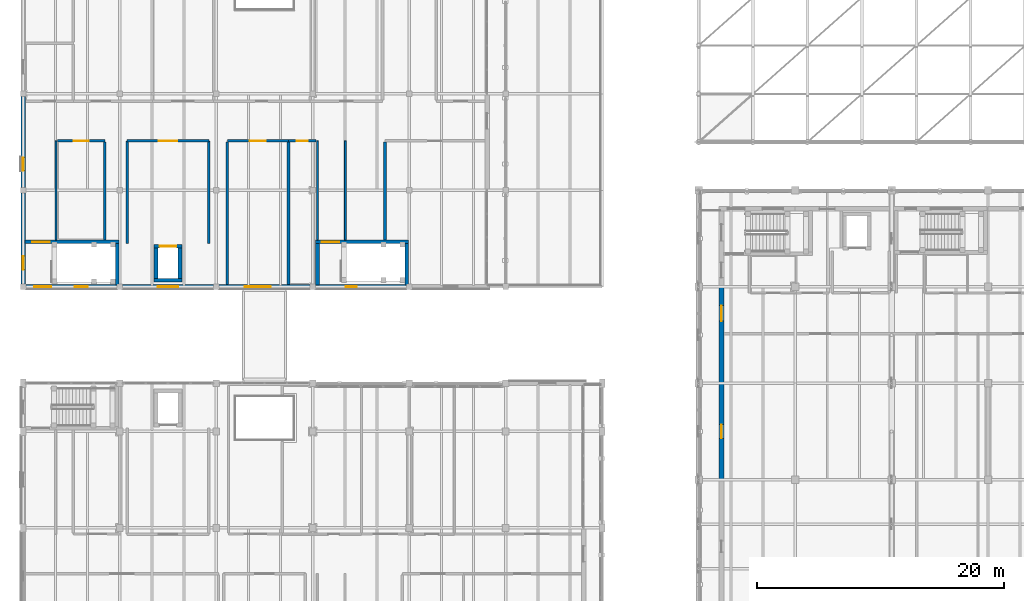
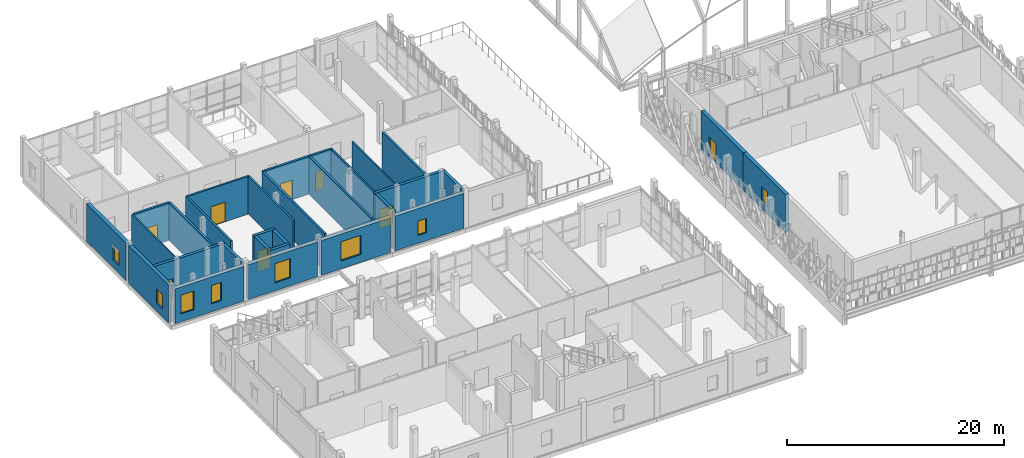
# One storey, part 93 of 119: 30 walls, 8 doors, 8 windows, 16 openings.
"""IFC4 building model written with IfcOpenShell, lengths in metres."""

from ifc_helpers import new_model, si_unit, direction, frame, frame_2d, origin, place, context, subcontext, project, spatial, rectangle, extrude, material, layer, layer_set, type_object, element, fill, save


model = new_model("IFC4")

# Units and contexts
model_context = context("Model", 3, precision=1e-05, world=origin(), true_north=direction((0.0, 1.0)))
body_context = subcontext(model_context, "Body", "Model", "MODEL_VIEW")
ifc_project = project(units=[si_unit("LENGTHUNIT", "METRE"), si_unit("AREAUNIT", "SQUARE_METRE"), si_unit("VOLUMEUNIT", "CUBIC_METRE"), si_unit("PLANEANGLEUNIT", "RADIAN"), si_unit("MASSUNIT", "GRAM", prefix="KILO")], contexts=[model_context])

# Site, building, storey
site_placement = place(None, origin())
site = spatial("IfcSite", under=ifc_project, at=site_placement, CompositionType="ELEMENT")
building_placement = place(site_placement, origin())
building = spatial("IfcBuilding", under=site, at=building_placement, Name="Celorna Specialist Clinic", CompositionType="ELEMENT")
storey_placement = place(building_placement, frame((0.0, 0.0, 9.60009765625)))
storey = spatial("IfcBuildingStorey", under=building, at=storey_placement, Name="L02", CompositionType="ELEMENT", Elevation=9.60009765625)

# Wall, openings, windows
ifc_material_1 = material(Name="Terracotta masonry with insulated cavity", Category="masonry")
ifc_layer_1 = layer(ifc_material_1, 0.3798828125, Name="Terracotta masonry with insulated cavity")
ifc_layer_set_1 = layer_set([ifc_layer_1], Name="Terracotta masonry with insulated cavity")
wall_type_1 = type_object("IfcWallType", Name="WT-06", PredefinedType="STANDARD", material=ifc_layer_set_1)
wall_1_placement = place(storey_placement, frame((7.574951171875, 35.10009765625, 0.0), z_axis=(0.0, 0.0, 1.0), x_axis=(-1.0, 0.0, 0.0)))
wall_1 = element("IfcWall", 1, at=wall_1_placement, inside=storey, type_object=wall_type_1, Name="External facade wall WT-06 #130", PredefinedType="STANDARD", context=body_context, shape_type="SweptSolid", body=[
    extrude(rectangle(XDim=7.349853515625, YDim=0.3798828125, at=frame_2d((3.6748046875, 0.0))), origin(), (0.0, 0.0, 1.0), 3.9248046875),
])
opening_1_placement = place(wall_1_placement, frame((2.375, 0.0, 0.89990234375)))
opening_1 = element("IfcOpeningElement", 2, at=opening_1_placement, cuts=wall_1, Name="Opening WN-22", PredefinedType="OPENING", context=body_context, shape_type="SweptSolid", body=[
    extrude(rectangle(XDim=1.050048828125, YDim=2.050048828125, at=frame_2d((0.52490234375, 1.02490234375))), frame((0.0, 0.199951171875, 0.0), z_axis=(0.0, -1.0, 0.0), x_axis=(1.0, 0.0, 0.0)), (0.0, 0.0, 1.0), 0.39990234375),
])
opening_2_placement = place(wall_1_placement, frame((5.324951171875, 0.0, 0.89990234375)))
opening_2 = element("IfcOpeningElement", 3, at=opening_2_placement, cuts=wall_1, Name="Opening WN-23", PredefinedType="OPENING", context=body_context, shape_type="SweptSolid", body=[
    extrude(rectangle(XDim=1.35009765625, YDim=2.10009765625, at=frame_2d((0.675048828125, 1.050048828125))), frame((0.0, 0.199951171875, 0.0), z_axis=(0.0, -1.0, 0.0), x_axis=(1.0, 0.0, 0.0)), (0.0, 0.0, 1.0), 0.39990234375),
])
ifc_material_2 = material(Name="Thermally broken aluminium triple-glazed window", Category="aluminium")
window_type_1 = type_object("IfcWindowType", Name="WN-22", PartitioningType="SINGLE_PANEL", PredefinedType="WINDOW", material=ifc_material_2)
window_1_placement = place(opening_1_placement, origin())
window_1 = element("IfcWindow", 4, at=window_1_placement, inside=storey, type_object=window_type_1, Name="Facade window WN-22 #39", OverallHeight=2.050048828125, OverallWidth=1.050048828125, PartitioningType="SINGLE_PANEL", PredefinedType="WINDOW", context=body_context, shape_type="SweptSolid", body=[
    extrude(rectangle(XDim=1.050048828125, YDim=2.050048828125, at=frame_2d((0.52490234375, 1.02490234375))), frame((0.0, 0.030029296875, 0.0), z_axis=(0.0, -1.0, 0.0), x_axis=(1.0, 0.0, 0.0)), (0.0, 0.0, 1.0), 0.06005859375),
])
fill(opening_1, window_1)
window_type_2 = type_object("IfcWindowType", Name="WN-23", PartitioningType="SINGLE_PANEL", PredefinedType="WINDOW", material=ifc_material_2)
window_2_placement = place(opening_2_placement, origin())
window_2 = element("IfcWindow", 5, at=window_2_placement, inside=storey, type_object=window_type_2, Name="Facade window WN-23 #40", OverallHeight=2.10009765625, OverallWidth=1.35009765625, PartitioningType="SINGLE_PANEL", PredefinedType="WINDOW", context=body_context, shape_type="SweptSolid", body=[
    extrude(rectangle(XDim=1.35009765625, YDim=2.10009765625, at=frame_2d((0.675048828125, 1.050048828125))), frame((0.0, 0.030029296875, 0.0), z_axis=(0.0, -1.0, 0.0), x_axis=(1.0, 0.0, 0.0)), (0.0, 0.0, 1.0), 0.06005859375),
])
fill(opening_2, window_2)

# Wall, opening, window
wall_2_placement = place(storey_placement, frame((15.375, 35.10009765625, 0.0), z_axis=(0.0, 0.0, 1.0), x_axis=(-1.0, 0.0, 0.0)))
wall_2 = element("IfcWall", 6, at=wall_2_placement, inside=storey, type_object=wall_type_1, Name="External facade wall WT-06 #131", PredefinedType="STANDARD", context=body_context, shape_type="SweptSolid", body=[
    extrude(rectangle(XDim=7.35009765625, YDim=0.3798828125, at=frame_2d((3.675048828125, 0.0))), origin(), (0.0, 0.0, 1.0), 3.9248046875),
])
opening_3_placement = place(wall_2_placement, frame((2.85009765625, 0.0, 0.89990234375)))
opening_3 = element("IfcOpeningElement", 7, at=opening_3_placement, cuts=wall_2, Name="Opening WN-25", PredefinedType="OPENING", context=body_context, shape_type="SweptSolid", body=[
    extrude(rectangle(XDim=1.64990234375, YDim=2.14990234375, at=frame_2d((0.824951171875, 1.074951171875))), frame((0.0, 0.199951171875, 0.0), z_axis=(0.0, -1.0, 0.0), x_axis=(1.0, 0.0, 0.0)), (0.0, 0.0, 1.0), 0.39990234375),
])
window_type_3 = type_object("IfcWindowType", Name="WN-25", PartitioningType="SINGLE_PANEL", PredefinedType="WINDOW", material=ifc_material_2)
window_3_placement = place(opening_3_placement, origin())
window_3 = element("IfcWindow", 8, at=window_3_placement, inside=storey, type_object=window_type_3, Name="Facade window WN-25 #41", OverallHeight=2.14990234375, OverallWidth=1.64990234375, PartitioningType="SINGLE_PANEL", PredefinedType="WINDOW", context=body_context, shape_type="SweptSolid", body=[
    extrude(rectangle(XDim=1.64990234375, YDim=2.14990234375, at=frame_2d((0.824951171875, 1.074951171875))), frame((0.0, 0.030029296875, 0.0), z_axis=(0.0, -1.0, 0.0), x_axis=(1.0, 0.0, 0.0)), (0.0, 0.0, 1.0), 0.06005859375),
])
fill(opening_3, window_3)

wall_3_placement = place(storey_placement, frame((23.175048828125, 35.10009765625, 0.0), z_axis=(0.0, 0.0, 1.0), x_axis=(-1.0, 0.0, 0.0)))
wall_3 = element("IfcWall", 9, at=wall_3_placement, inside=storey, type_object=wall_type_1, Name="External facade wall WT-06 #132", PredefinedType="STANDARD", context=body_context, shape_type="SweptSolid", body=[
    extrude(rectangle(XDim=7.35009765625, YDim=0.3798828125, at=frame_2d((3.675048828125, 0.0))), origin(), (0.0, 0.0, 1.0), 3.9248046875),
])
opening_4_placement = place(wall_3_placement, frame((3.159912109375, 0.0, 0.89990234375)))
opening_4 = element("IfcOpeningElement", 10, at=opening_4_placement, cuts=wall_3, Name="Opening WN-27", PredefinedType="OPENING", context=body_context, shape_type="SweptSolid", body=[
    extrude(rectangle(XDim=2.10009765625, YDim=2.14990234375, at=frame_2d((1.050048828125, 1.074951171875))), frame((0.0, 0.199951171875, 0.0), z_axis=(0.0, -1.0, 0.0), x_axis=(1.0, 0.0, 0.0)), (0.0, 0.0, 1.0), 0.39990234375),
])
window_type_4 = type_object("IfcWindowType", Name="WN-27", PartitioningType="SINGLE_PANEL", PredefinedType="WINDOW", material=ifc_material_2)
window_4_placement = place(opening_4_placement, origin())
window_4 = element("IfcWindow", 11, at=window_4_placement, inside=storey, type_object=window_type_4, Name="Facade window WN-27 #42", OverallHeight=2.14990234375, OverallWidth=2.10009765625, PartitioningType="SINGLE_PANEL", PredefinedType="WINDOW", context=body_context, shape_type="SweptSolid", body=[
    extrude(rectangle(XDim=2.10009765625, YDim=2.14990234375, at=frame_2d((1.050048828125, 1.074951171875))), frame((0.0, 0.030029296875, 0.0), z_axis=(0.0, -1.0, 0.0), x_axis=(1.0, 0.0, 0.0)), (0.0, 0.0, 1.0), 0.06005859375),
])
fill(opening_4, window_4)

wall_4_placement = place(storey_placement, frame((30.97509765625, 35.10009765625, 0.0), z_axis=(0.0, 0.0, 1.0), x_axis=(-1.0, 0.0, 0.0)))
wall_4 = element("IfcWall", 12, at=wall_4_placement, inside=storey, type_object=wall_type_1, Name="External facade wall WT-06 #133", PredefinedType="STANDARD", context=body_context, shape_type="SweptSolid", body=[
    extrude(rectangle(XDim=7.35009765625, YDim=0.3798828125, at=frame_2d((3.675048828125, 0.0))), origin(), (0.0, 0.0, 1.0), 3.9248046875),
])
opening_5_placement = place(wall_4_placement, frame((4.010009765625, 0.0, 0.89990234375)))
opening_5 = element("IfcOpeningElement", 13, at=opening_5_placement, cuts=wall_4, Name="Opening WN-01", PredefinedType="OPENING", context=body_context, shape_type="SweptSolid", body=[
    extrude(rectangle(XDim=0.89990234375, YDim=1.60009765625, at=frame_2d((0.449951171875, 0.800048828125))), frame((0.0, 0.199951171875, 0.0), z_axis=(0.0, -1.0, 0.0), x_axis=(1.0, 0.0, 0.0)), (0.0, 0.0, 1.0), 0.39990234375),
])
window_type_5 = type_object("IfcWindowType", Name="WN-01", PartitioningType="SINGLE_PANEL", PredefinedType="WINDOW", material=ifc_material_2)
window_5_placement = place(opening_5_placement, origin())
window_5 = element("IfcWindow", 14, at=window_5_placement, inside=storey, type_object=window_type_5, Name="Facade window WN-01 #43", OverallHeight=1.60009765625, OverallWidth=0.89990234375, PartitioningType="SINGLE_PANEL", PredefinedType="WINDOW", context=body_context, shape_type="SweptSolid", body=[
    extrude(rectangle(XDim=0.89990234375, YDim=1.60009765625, at=frame_2d((0.449951171875, 0.800048828125))), frame((0.0, 0.030029296875, 0.0), z_axis=(0.0, -1.0, 0.0), x_axis=(1.0, 0.0, 0.0)), (0.0, 0.0, 1.0), 0.06005859375),
])
fill(opening_5, window_5)

wall_5_placement = place(storey_placement, frame((0.0, 35.324951171875, 0.0), z_axis=(0.0, 0.0, 1.0), x_axis=(0.0, 1.0, 0.0)))
wall_5 = element("IfcWall", 15, at=wall_5_placement, inside=storey, type_object=wall_type_1, Name="External facade wall WT-06 #136", PredefinedType="STANDARD", context=body_context, shape_type="SweptSolid", body=[
    extrude(rectangle(XDim=7.35009765625, YDim=0.3798828125, at=frame_2d((3.675048828125, 0.0))), origin(), (0.0, 0.0, 1.0), 4.239990234375),
])
opening_6_placement = place(wall_5_placement, frame((1.16259765625, 0.0, 0.89990234375)))
opening_6 = element("IfcOpeningElement", 16, at=opening_6_placement, cuts=wall_5, Name="Opening WN-03", PredefinedType="OPENING", context=body_context, shape_type="SweptSolid", body=[
    extrude(rectangle(XDim=1.10009765625, YDim=1.60009765625, at=frame_2d((0.550048828125, 0.800048828125))), frame((0.0, 0.199951171875, 0.0), z_axis=(0.0, -1.0, 0.0), x_axis=(1.0, 0.0, 0.0)), (0.0, 0.0, 1.0), 0.39990234375),
])
window_type_6 = type_object("IfcWindowType", Name="WN-03", PartitioningType="SINGLE_PANEL", PredefinedType="WINDOW", material=ifc_material_2)
window_6_placement = place(opening_6_placement, origin())
window_6 = element("IfcWindow", 17, at=window_6_placement, inside=storey, type_object=window_type_6, Name="Facade window WN-03 #47", OverallHeight=1.60009765625, OverallWidth=1.10009765625, PartitioningType="SINGLE_PANEL", PredefinedType="WINDOW", context=body_context, shape_type="SweptSolid", body=[
    extrude(rectangle(XDim=1.10009765625, YDim=1.60009765625, at=frame_2d((0.550048828125, 0.800048828125))), frame((0.0, 0.030029296875, 0.0), z_axis=(0.0, -1.0, 0.0), x_axis=(1.0, 0.0, 0.0)), (0.0, 0.0, 1.0), 0.06005859375),
])
fill(opening_6, window_6)

wall_6_placement = place(storey_placement, frame((0.0, 43.125, 0.0), z_axis=(0.0, 0.0, 1.0), x_axis=(0.0, 1.0, 0.0)))
wall_6 = element("IfcWall", 18, at=wall_6_placement, inside=storey, type_object=wall_type_1, Name="External facade wall WT-06 #137", PredefinedType="STANDARD", context=body_context, shape_type="SweptSolid", body=[
    extrude(rectangle(XDim=7.35009765625, YDim=0.3798828125, at=frame_2d((3.675048828125, 0.0))), origin(), (0.0, 0.0, 1.0), 4.239990234375),
])
opening_7_placement = place(wall_6_placement, frame((1.37255859375, 0.0, 0.89990234375)))
opening_7 = element("IfcOpeningElement", 19, at=opening_7_placement, cuts=wall_6, Name="Opening WN-21", PredefinedType="OPENING", context=body_context, shape_type="SweptSolid", body=[
    extrude(rectangle(XDim=1.050048828125, YDim=1.64990234375, at=frame_2d((0.52490234375, 0.824951171875))), frame((0.0, 0.199951171875, 0.0), z_axis=(0.0, -1.0, 0.0), x_axis=(1.0, 0.0, 0.0)), (0.0, 0.0, 1.0), 0.39990234375),
])
window_type_7 = type_object("IfcWindowType", Name="WN-21", PartitioningType="SINGLE_PANEL", PredefinedType="WINDOW", material=ifc_material_2)
window_7_placement = place(opening_7_placement, origin())
window_7 = element("IfcWindow", 20, at=window_7_placement, inside=storey, type_object=window_type_7, Name="Facade window WN-21 #48", OverallHeight=1.64990234375, OverallWidth=1.050048828125, PartitioningType="SINGLE_PANEL", PredefinedType="WINDOW", context=body_context, shape_type="SweptSolid", body=[
    extrude(rectangle(XDim=1.050048828125, YDim=1.64990234375, at=frame_2d((0.52490234375, 0.824951171875))), frame((0.0, 0.030029296875, 0.0), z_axis=(0.0, -1.0, 0.0), x_axis=(1.0, 0.0, 0.0)), (0.0, 0.0, 1.0), 0.06005859375),
])
fill(opening_7, window_7)

wall_7_placement = place(storey_placement, frame((56.449951171875, 19.5, 0.0), z_axis=(0.0, 0.0, 1.0), x_axis=(0.0, 1.0, 0.0)))
wall_7 = element("IfcWall", 21, at=wall_7_placement, inside=storey, type_object=wall_type_1, Name="External facade wall WT-06 #400", PredefinedType="STANDARD", context=body_context, shape_type="SweptSolid", body=[
    extrude(rectangle(XDim=7.800048828125, YDim=0.3798828125, at=frame_2d((3.89990234375, 0.0))), origin(), (0.0, 0.0, 1.0), 4.239990234375),
])
opening_8_placement = place(wall_7_placement, frame((3.35009765625, 0.0, 0.89990234375)))
opening_8 = element("IfcOpeningElement", 22, at=opening_8_placement, cuts=wall_7, Name="Opening WN-03", PredefinedType="OPENING", context=body_context, shape_type="SweptSolid", body=[
    extrude(rectangle(XDim=1.10009765625, YDim=1.60009765625, at=frame_2d((0.550048828125, 0.800048828125))), frame((0.0, 0.199951171875, 0.0), z_axis=(0.0, -1.0, 0.0), x_axis=(1.0, 0.0, 0.0)), (0.0, 0.0, 1.0), 0.39990234375),
])
window_8_placement = place(opening_8_placement, origin())
window_8 = element("IfcWindow", 23, at=window_8_placement, inside=storey, type_object=window_type_6, Name="Facade window WN-03 #262", OverallHeight=1.60009765625, OverallWidth=1.10009765625, PartitioningType="SINGLE_PANEL", PredefinedType="WINDOW", context=body_context, shape_type="SweptSolid", body=[
    extrude(rectangle(XDim=1.10009765625, YDim=1.60009765625, at=frame_2d((0.550048828125, 0.800048828125))), frame((0.0, 0.030029296875, 0.0), z_axis=(0.0, -1.0, 0.0), x_axis=(1.0, 0.0, 0.0)), (0.0, 0.0, 1.0), 0.06005859375),
])
fill(opening_8, window_8)

# Wall, opening, door
wall_8_placement = place(storey_placement, frame((56.449951171875, 27.300048828125, 0.0), z_axis=(0.0, 0.0, 1.0), x_axis=(0.0, 1.0, 0.0)))
wall_8 = element("IfcWall", 24, at=wall_8_placement, inside=storey, type_object=wall_type_1, Name="External facade wall WT-06 #401", PredefinedType="STANDARD", context=body_context, shape_type="SweptSolid", body=[
    extrude(rectangle(XDim=7.800048828125, YDim=0.3798828125, at=frame_2d((3.89990234375, 0.0))), origin(), (0.0, 0.0, 1.0), 4.239990234375),
])
opening_9_placement = place(wall_8_placement, frame((5.02490234375, 0.0, 0.0)))
opening_9 = element("IfcOpeningElement", 25, at=opening_9_placement, cuts=wall_8, Name="Opening DR-13", PredefinedType="OPENING", context=body_context, shape_type="SweptSolid", body=[
    extrude(rectangle(XDim=1.25, YDim=2.199951171875, at=frame_2d((0.625, 1.10009765625))), frame((0.0, 0.199951171875, 0.0), z_axis=(0.0, -1.0, 0.0), x_axis=(1.0, 0.0, 0.0)), (0.0, 0.0, 1.0), 0.39990234375),
])
ifc_material_3 = material(Name="Thermally broken glazed terrace door")
door_type_1 = type_object("IfcDoorType", Name="DR-13", OperationType="NOTDEFINED", PredefinedType="DOOR", material=ifc_material_3)
door_1_placement = place(opening_9_placement, frame((1.25, 0.0, 0.0), z_axis=(0.0, 0.0, 1.0), x_axis=(-1.0, 0.0, 0.0)))
door_1 = element("IfcDoor", 26, at=door_1_placement, inside=storey, type_object=door_type_1, Name="Veranda access door TER-V6-L02 west", OperationType="SINGLE_SWING_RIGHT", OverallHeight=2.199951171875, OverallWidth=1.25, PredefinedType="DOOR", context=body_context, shape_type="SweptSolid", body=[
    extrude(rectangle(XDim=1.25, YDim=2.199951171875, at=frame_2d((0.625, 1.10009765625))), frame((0.0, 0.02490234375, 0.0), z_axis=(0.0, -1.0, 0.0), x_axis=(1.0, 0.0, 0.0)), (0.0, 0.0, 1.0), 0.050048828125),
])
fill(opening_9, door_1)

ifc_material_4 = material(Name="Concrete C35/45", Category="concrete")
ifc_layer_2 = layer(ifc_material_4, 0.300048828125, Name="Concrete C35/45")
ifc_layer_set_2 = layer_set([ifc_layer_2], Name="Concrete C35/45")
wall_type_2 = type_object("IfcWallType", Name="WT-08", PredefinedType="SHEAR", material=ifc_layer_set_2)
wall_9_placement = place(storey_placement, frame((7.739990234375, 38.72998046875, 0.0), z_axis=(0.0, 0.0, 1.0), x_axis=(-1.0, 0.0, 0.0)))
wall_9 = element("IfcWall", 27, at=wall_9_placement, inside=storey, type_object=wall_type_2, Name="Stair ST-06 RC core wall L02 north", PredefinedType="SHEAR", context=body_context, shape_type="SweptSolid", body=[
    extrude(rectangle(XDim=7.590087890625, YDim=0.300048828125, at=frame_2d((3.794921875, 0.0))), origin(), (0.0, 0.0, 1.0), 4.239990234375),
])
opening_10_placement = place(wall_9_placement, frame((5.60009765625, 0.0, 0.0)))
opening_10 = element("IfcOpeningElement", 28, at=opening_10_placement, cuts=wall_9, Name="Opening DR-10", PredefinedType="OPENING", context=body_context, shape_type="SweptSolid", body=[
    extrude(rectangle(XDim=1.39990234375, YDim=2.199951171875, at=frame_2d((0.699951171875, 1.10009765625))), frame((0.0, 0.159912109375, 0.0), z_axis=(0.0, -1.0, 0.0), x_axis=(1.0, 0.0, 0.0)), (0.0, 0.0, 1.0), 0.320068359375),
])
ifc_material_5 = material(Name="Protected exit stair fire door")
door_type_2 = type_object("IfcDoorType", Name="DR-10", OperationType="NOTDEFINED", PredefinedType="DOOR", material=ifc_material_5)
door_2_placement = place(opening_10_placement, origin())
door_2 = element("IfcDoor", 29, at=door_2_placement, inside=storey, type_object=door_type_2, Name="Protected exit stair door ST-06 L02", OperationType="SINGLE_SWING_LEFT", OverallHeight=2.199951171875, OverallWidth=1.39990234375, PredefinedType="DOOR", context=body_context, shape_type="SweptSolid", body=[
    extrude(rectangle(XDim=1.39990234375, YDim=2.199951171875, at=frame_2d((0.699951171875, 1.10009765625))), frame((0.0, 0.02490234375, 0.0), z_axis=(0.0, -1.0, 0.0), x_axis=(1.0, 0.0, 0.0)), (0.0, 0.0, 1.0), 0.050048828125),
])
fill(opening_10, door_2)

# Wall
wall_10_placement = place(storey_placement, frame((7.590087890625, 35.25, 0.0), z_axis=(0.0, 0.0, 1.0), x_axis=(0.0, 1.0, 0.0)))
element("IfcWall", 30, at=wall_10_placement, inside=storey, type_object=wall_type_2, Name="Stair ST-06 RC core wall L02 east", PredefinedType="SHEAR", context=body_context, shape_type="SweptSolid", body=[
    extrude(rectangle(XDim=3.330078125, YDim=0.300048828125, at=frame_2d((1.6650390625, 0.0))), origin(), (0.0, 0.0, 1.0), 4.239990234375),
])

# Wall, opening, door
wall_11_placement = place(storey_placement, frame((31.139892578125, 38.72998046875, 0.0), z_axis=(0.0, 0.0, 1.0), x_axis=(-1.0, 0.0, 0.0)))
wall_11 = element("IfcWall", 31, at=wall_11_placement, inside=storey, type_object=wall_type_2, Name="Stair ST-07 RC core wall L02 north", PredefinedType="SHEAR", context=body_context, shape_type="SweptSolid", body=[
    extrude(rectangle(XDim=7.5, YDim=0.300048828125, at=frame_2d((3.75, 0.0))), origin(), (0.0, 0.0, 1.0), 4.239990234375),
])
opening_11_placement = place(wall_11_placement, frame((5.60009765625, 0.0, 0.0)))
opening_11 = element("IfcOpeningElement", 32, at=opening_11_placement, cuts=wall_11, Name="Opening DR-10", PredefinedType="OPENING", context=body_context, shape_type="SweptSolid", body=[
    extrude(rectangle(XDim=1.39990234375, YDim=2.199951171875, at=frame_2d((0.699951171875, 1.10009765625))), frame((0.0, 0.159912109375, 0.0), z_axis=(0.0, -1.0, 0.0), x_axis=(1.0, 0.0, 0.0)), (0.0, 0.0, 1.0), 0.320068359375),
])
door_3_placement = place(opening_11_placement, origin())
door_3 = element("IfcDoor", 33, at=door_3_placement, inside=storey, type_object=door_type_2, Name="Protected exit stair door ST-07 L02", OperationType="SINGLE_SWING_LEFT", OverallHeight=2.199951171875, OverallWidth=1.39990234375, PredefinedType="DOOR", context=body_context, shape_type="SweptSolid", body=[
    extrude(rectangle(XDim=1.39990234375, YDim=2.199951171875, at=frame_2d((0.699951171875, 1.10009765625))), frame((0.0, 0.02490234375, 0.0), z_axis=(0.0, -1.0, 0.0), x_axis=(1.0, 0.0, 0.0)), (0.0, 0.0, 1.0), 0.050048828125),
])
fill(opening_11, door_3)

# Walls
for number, where, z_axis, x_axis, name in (
    (34, (23.7900390625, 38.580078125, 0.0), (0.0, 0.0, 1.0), (0.0, -1.0, 0.0), "Stair ST-07 RC core wall L02 west"),
    (35, (30.989990234375, 35.25, 0.0), (0.0, 0.0, 1.0), (0.0, 1.0, 0.0), "Stair ST-07 RC core wall L02 east"),
):
    element("IfcWall", number, at=place(storey_placement, frame(where, z_axis=z_axis, x_axis=x_axis)), inside=storey, type_object=wall_type_2, Name=name, PredefinedType="SHEAR", context=body_context, shape_type="SweptSolid", body=[
        extrude(rectangle(XDim=3.330078125, YDim=0.300048828125, at=frame_2d((1.6650390625, 0.0))), origin(), (0.0, 0.0, 1.0), 4.239990234375),
    ])
wall_12_placement = place(storey_placement, frame((10.574951171875, 35.625, 0.0), z_axis=(0.0, 0.0, 1.0), x_axis=(1.0, 0.0, 0.0)))
element("IfcWall", 36, at=wall_12_placement, inside=storey, type_object=wall_type_2, Name="Lift LF-06 RC shaft wall L02", PredefinedType="SHEAR", context=body_context, shape_type="SweptSolid", body=[
    extrude(rectangle(XDim=2.25, YDim=0.300048828125, at=frame_2d((1.125, 0.0))), origin(), (0.0, 0.0, 1.0), 4.239990234375),
])

# Wall, opening, door
wall_13_placement = place(storey_placement, frame((12.824951171875, 38.375, 0.0), z_axis=(0.0, 0.0, 1.0), x_axis=(-1.0, 0.0, 0.0)))
wall_13 = element("IfcWall", 37, at=wall_13_placement, inside=storey, type_object=wall_type_2, Name="Lift LF-06 RC shaft wall L02", PredefinedType="SHEAR", context=body_context, shape_type="SweptSolid", body=[
    extrude(rectangle(XDim=2.25, YDim=0.300048828125, at=frame_2d((1.125, 0.0))), origin(), (0.0, 0.0, 1.0), 4.239990234375),
])
opening_12_placement = place(wall_13_placement, frame((0.449951171875, 0.0, 0.0)))
opening_12 = element("IfcOpeningElement", 38, at=opening_12_placement, cuts=wall_13, Name="Opening LD-02", PredefinedType="OPENING", context=body_context, shape_type="SweptSolid", body=[
    extrude(rectangle(XDim=1.35009765625, YDim=2.300048828125, at=frame_2d((0.675048828125, 1.14990234375))), frame((0.0, 0.159912109375, 0.0), z_axis=(0.0, -1.0, 0.0), x_axis=(1.0, 0.0, 0.0)), (0.0, 0.0, 1.0), 0.320068359375),
])
ifc_material_6 = material(Name="Firefighting stretcher lift landing sliding door")
door_type_3 = type_object("IfcDoorType", Name="LD-02", OperationType="DOUBLE_DOOR_SLIDING", PredefinedType="DOOR", material=ifc_material_6)
door_4_placement = place(opening_12_placement, origin())
door_4 = element("IfcDoor", 39, at=door_4_placement, inside=storey, type_object=door_type_3, Name="Lift LF-06 sliding landing door L02", OperationType="DOUBLE_DOOR_SLIDING", OverallHeight=2.300048828125, OverallWidth=1.35009765625, PredefinedType="DOOR", context=body_context, shape_type="SweptSolid", body=[
    extrude(rectangle(XDim=1.35009765625, YDim=2.300048828125, at=frame_2d((0.675048828125, 1.14990234375))), frame((0.0, 0.02490234375, 0.0), z_axis=(0.0, -1.0, 0.0), x_axis=(1.0, 0.0, 0.0)), (0.0, 0.0, 1.0), 0.050048828125),
])
fill(opening_12, door_4)

# Walls
for number, where, z_axis, x_axis, name in (
    (40, (10.72509765625, 38.22509765625, 0.0), (0.0, 0.0, 1.0), (0.0, -1.0, 0.0), "Lift LF-06 RC shaft wall L02"),
    (41, (12.675048828125, 35.77490234375, 0.0), (0.0, 0.0, 1.0), (0.0, 1.0, 0.0), "Lift LF-06 RC shaft wall L02"),
):
    element("IfcWall", number, at=place(storey_placement, frame(where, z_axis=z_axis, x_axis=x_axis)), inside=storey, type_object=wall_type_2, Name=name, PredefinedType="SHEAR", context=body_context, shape_type="SweptSolid", body=[
        extrude(rectangle(XDim=2.4501953125, YDim=0.300048828125, at=frame_2d((1.22509765625, 0.0))), origin(), (0.0, 0.0, 1.0), 4.239990234375),
    ])

# Wall, opening, door
ifc_material_7 = material(Name="Lead-lined gypsum and masonry partition", Category="masonry")
ifc_layer_3 = layer(ifc_material_7, 0.219970703125, Name="Lead-lined gypsum and masonry partition")
ifc_layer_set_3 = layer_set([ifc_layer_3], Name="Lead-lined gypsum and masonry partition")
wall_type_3 = type_object("IfcWallType", Name="WT-11", PredefinedType="PARTITIONING", material=ifc_layer_set_3)
wall_14_placement = place(storey_placement, frame((6.590087890625, 46.89990234375, 0.0), z_axis=(0.0, 0.0, 1.0), x_axis=(-1.0, 0.0, 0.0)))
wall_14 = element("IfcWall", 42, at=wall_14_placement, inside=storey, type_object=wall_type_3, Name="Interior partition WT-11 L02-012", PredefinedType="PARTITIONING", context=body_context, shape_type="SweptSolid", body=[
    extrude(rectangle(XDim=3.830078125, YDim=0.219970703125, at=frame_2d((1.9150390625, 0.0))), origin(), (0.0, 0.0, 1.0), 4.239990234375),
])
opening_13_placement = place(wall_14_placement, frame((1.31494140625, 0.0, 0.0)))
opening_13 = element("IfcOpeningElement", 43, at=opening_13_placement, cuts=wall_14, Name="Opening DR-08", PredefinedType="OPENING", context=body_context, shape_type="SweptSolid", body=[
    extrude(rectangle(XDim=1.199951171875, YDim=2.199951171875, at=frame_2d((0.60009765625, 1.10009765625))), frame((0.0, 0.119873046875, 0.0), z_axis=(0.0, -1.0, 0.0), x_axis=(1.0, 0.0, 0.0)), (0.0, 0.0, 1.0), 0.239990234375),
])
ifc_material_8 = material(Name="Stretcher-width clinical door")
door_type_4 = type_object("IfcDoorType", Name="DR-08", OperationType="NOTDEFINED", PredefinedType="DOOR", material=ifc_material_8)
door_5_placement = place(opening_13_placement, origin())
door_5 = element("IfcDoor", 44, at=door_5_placement, inside=storey, type_object=door_type_4, Name="Nuclear Medicine Gamma Camera Suite door L02-012", OperationType="SINGLE_SWING_LEFT", OverallHeight=2.199951171875, OverallWidth=1.199951171875, PredefinedType="DOOR", context=body_context, shape_type="SweptSolid", body=[
    extrude(rectangle(XDim=1.199951171875, YDim=2.199951171875, at=frame_2d((0.60009765625, 1.10009765625))), frame((0.0, 0.02490234375, 0.0), z_axis=(0.0, -1.0, 0.0), x_axis=(1.0, 0.0, 0.0)), (0.0, 0.0, 1.0), 0.050048828125),
])
fill(opening_13, door_5)

wall_15_placement = place(storey_placement, frame((21.43994140625, 46.89990234375, 0.0), z_axis=(0.0, 0.0, 1.0), x_axis=(-1.0, 0.0, 0.0)))
wall_15 = element("IfcWall", 45, at=wall_15_placement, inside=storey, type_object=wall_type_3, Name="Interior partition WT-11 L02-013", PredefinedType="PARTITIONING", context=body_context, shape_type="SweptSolid", body=[
    extrude(rectangle(XDim=4.949951171875, YDim=0.219970703125, at=frame_2d((2.47509765625, 0.0))), origin(), (0.0, 0.0, 1.0), 4.239990234375),
])
opening_14_placement = place(wall_15_placement, frame((1.824951171875, 0.0, 0.0)))
opening_14 = element("IfcOpeningElement", 46, at=opening_14_placement, cuts=wall_15, Name="Opening DR-09", PredefinedType="OPENING", context=body_context, shape_type="SweptSolid", body=[
    extrude(rectangle(XDim=1.300048828125, YDim=2.199951171875, at=frame_2d((0.64990234375, 1.10009765625))), frame((0.0, 0.119873046875, 0.0), z_axis=(0.0, -1.0, 0.0), x_axis=(1.0, 0.0, 0.0)), (0.0, 0.0, 1.0), 0.239990234375),
])
ifc_material_9 = material(Name="Lead-lined radiology room door")
door_type_5 = type_object("IfcDoorType", Name="DR-09", OperationType="NOTDEFINED", PredefinedType="DOOR", material=ifc_material_9)
door_6_placement = place(opening_14_placement, origin())
door_6 = element("IfcDoor", 47, at=door_6_placement, inside=storey, type_object=door_type_5, Name="PET-CT Diagnostic Imaging Suite door L02-013", OperationType="SINGLE_SWING_RIGHT", OverallHeight=2.199951171875, OverallWidth=1.300048828125, PredefinedType="DOOR", context=body_context, shape_type="SweptSolid", body=[
    extrude(rectangle(XDim=1.300048828125, YDim=2.199951171875, at=frame_2d((0.64990234375, 1.10009765625))), frame((0.0, 0.02490234375, 0.0), z_axis=(0.0, -1.0, 0.0), x_axis=(1.0, 0.0, 0.0)), (0.0, 0.0, 1.0), 0.050048828125),
])
fill(opening_14, door_6)

wall_16_placement = place(storey_placement, frame((23.669921875, 46.89990234375, 0.0), z_axis=(0.0, 0.0, 1.0), x_axis=(-1.0, 0.0, 0.0)))
wall_16 = element("IfcWall", 48, at=wall_16_placement, inside=storey, type_object=wall_type_3, Name="Interior partition WT-11 L02-014", PredefinedType="PARTITIONING", context=body_context, shape_type="SweptSolid", body=[
    extrude(rectangle(XDim=2.22998046875, YDim=0.219970703125, at=frame_2d((1.114990234375, 0.0))), origin(), (0.0, 0.0, 1.0), 4.239990234375),
])
opening_15_placement = place(wall_16_placement, frame((0.655029296875, 0.0, 0.0)))
opening_15 = element("IfcOpeningElement", 49, at=opening_15_placement, cuts=wall_16, Name="Opening DR-20", PredefinedType="OPENING", context=body_context, shape_type="SweptSolid", body=[
    extrude(rectangle(XDim=0.919921875, YDim=2.14990234375, at=frame_2d((0.4599609375, 1.074951171875))), frame((0.0, 0.119873046875, 0.0), z_axis=(0.0, -1.0, 0.0), x_axis=(1.0, 0.0, 0.0)), (0.0, 0.0, 1.0), 0.239990234375),
])
ifc_material_10 = material(Name="Timber clinical consultation door", Category="wood")
door_type_6 = type_object("IfcDoorType", Name="DR-20", OperationType="NOTDEFINED", PredefinedType="DOOR", material=ifc_material_10)
door_7_placement = place(opening_15_placement, origin())
door_7 = element("IfcDoor", 50, at=door_7_placement, inside=storey, type_object=door_type_6, Name="Radiopharmacy Hot Laboratory door L02-014", OperationType="SINGLE_SWING_LEFT", OverallHeight=2.14990234375, OverallWidth=0.919921875, PredefinedType="DOOR", context=body_context, shape_type="SweptSolid", body=[
    extrude(rectangle(XDim=0.919921875, YDim=2.14990234375, at=frame_2d((0.4599609375, 1.074951171875))), frame((0.0, 0.02490234375, 0.0), z_axis=(0.0, -1.0, 0.0), x_axis=(1.0, 0.0, 0.0)), (0.0, 0.0, 1.0), 0.050048828125),
])
fill(opening_15, door_7)

# Walls
wall_17_placement = place(storey_placement, frame((6.590087890625, 38.8798828125, 0.0), z_axis=(0.0, 0.0, 1.0), x_axis=(0.0, 1.0, 0.0)))
element("IfcWall", 51, at=wall_17_placement, inside=storey, type_object=wall_type_3, Name="Room dividing partition WT-11 L02-012", PredefinedType="PARTITIONING", context=body_context, shape_type="SweptSolid", body=[
    extrude(rectangle(XDim=7.91015625, YDim=0.219970703125, at=frame_2d((3.955078125, 0.0))), origin(), (0.0, 0.0, 1.0), 4.239990234375),
])
for number, where, z_axis, x_axis, name in (
    (52, (16.489990234375, 35.2900390625, 0.0), (0.0, 0.0, 1.0), (0.0, 1.0, 0.0), "Room dividing partition WT-11 L02-013"),
    (53, (21.43994140625, 35.2900390625, 0.0), (0.0, 0.0, 1.0), (0.0, 1.0, 0.0), "Room dividing partition WT-11 L02-013"),
):
    element("IfcWall", number, at=place(storey_placement, frame(where, z_axis=z_axis, x_axis=x_axis)), inside=storey, type_object=wall_type_3, Name=name, PredefinedType="PARTITIONING", context=body_context, shape_type="SweptSolid", body=[
        extrude(rectangle(XDim=11.5, YDim=0.219970703125, at=frame_2d((5.75, 0.0))), origin(), (0.0, 0.0, 1.0), 4.239990234375),
    ])
wall_18_placement = place(storey_placement, frame((29.239990234375, 38.8798828125, 0.0), z_axis=(0.0, 0.0, 1.0), x_axis=(0.0, 1.0, 0.0)))
element("IfcWall", 54, at=wall_18_placement, inside=storey, type_object=wall_type_3, Name="Room dividing partition WT-11 L02-015", PredefinedType="PARTITIONING", context=body_context, shape_type="SweptSolid", body=[
    extrude(rectangle(XDim=7.91015625, YDim=0.219970703125, at=frame_2d((3.955078125, 0.0))), origin(), (0.0, 0.0, 1.0), 4.239990234375),
])

# Wall, opening, door
ifc_layer_4 = layer(ifc_material_4, 0.199951171875, Name="Concrete C35/45")
ifc_layer_set_4 = layer_set([ifc_layer_4], Name="Concrete C35/45")
wall_type_4 = type_object("IfcWallType", Name="WT-12", PredefinedType="SOLIDWALL", material=ifc_layer_set_4)
wall_19_placement = place(storey_placement, frame((15.0, 46.89990234375, 0.0), z_axis=(0.0, 0.0, 1.0), x_axis=(-1.0, 0.0, 0.0)))
wall_19 = element("IfcWall", 55, at=wall_19_placement, inside=storey, type_object=wall_type_4, Name="Lift lobby wall LF-06 L02", PredefinedType="SOLIDWALL", context=body_context, shape_type="SweptSolid", body=[
    extrude(rectangle(XDim=6.60009765625, YDim=0.199951171875, at=frame_2d((3.300048828125, 0.0))), origin(), (0.0, 0.0, 1.0), 4.239990234375),
])
opening_16_placement = place(wall_19_placement, frame((2.550048828125, 0.0, 0.0)))
opening_16 = element("IfcOpeningElement", 56, at=opening_16_placement, cuts=wall_19, Name="Opening DR-11", PredefinedType="OPENING", context=body_context, shape_type="SweptSolid", body=[
    extrude(rectangle(XDim=1.5, YDim=2.199951171875, at=frame_2d((0.75, 1.10009765625))), frame((0.0, 0.10986328125, 0.0), z_axis=(0.0, -1.0, 0.0), x_axis=(1.0, 0.0, 0.0)), (0.0, 0.0, 1.0), 0.219970703125),
])
ifc_material_11 = material(Name="Firefighting lobby double fire door")
door_type_7 = type_object("IfcDoorType", Name="DR-11", OperationType="DOUBLE_DOOR_SINGLE_SWING", PredefinedType="DOOR", material=ifc_material_11)
door_8_placement = place(opening_16_placement, origin())
door_8 = element("IfcDoor", 57, at=door_8_placement, inside=storey, type_object=door_type_7, Name="Lift lobby fire door LF-06 L02", OperationType="DOUBLE_DOOR_SINGLE_SWING", OverallHeight=2.199951171875, OverallWidth=1.5, PredefinedType="DOOR", context=body_context, shape_type="SweptSolid", body=[
    extrude(rectangle(XDim=1.5, YDim=2.199951171875, at=frame_2d((0.75, 1.10009765625))), frame((0.0, 0.02490234375, 0.0), z_axis=(0.0, -1.0, 0.0), x_axis=(1.0, 0.0, 0.0)), (0.0, 0.0, 1.0), 0.050048828125),
])
fill(opening_16, door_8)

# Walls
for number, where, z_axis, x_axis, name in (
    (58, (8.39990234375, 46.89990234375, 0.0), (0.0, 0.0, 1.0), (0.0, -1.0, 0.0), "Lift lobby wall LF-06 L02"),
    (59, (15.0, 38.60009765625, 0.0), (0.0, 0.0, 1.0), (0.0, 1.0, 0.0), "Lift lobby wall LF-06 L02"),
):
    element("IfcWall", number, at=place(storey_placement, frame(where, z_axis=z_axis, x_axis=x_axis)), inside=storey, type_object=wall_type_4, Name=name, PredefinedType="SOLIDWALL", context=body_context, shape_type="SweptSolid", body=[
        extrude(rectangle(XDim=8.2998046875, YDim=0.199951171875, at=frame_2d((4.14990234375, 0.0))), origin(), (0.0, 0.0, 1.0), 4.239990234375),
    ])
ifc_material_12 = material(Name="Fire-rated gypsum board partition")
ifc_layer_5 = layer(ifc_material_12, 0.14990234375, Name="Fire-rated gypsum board partition")
ifc_layer_set_5 = layer_set([ifc_layer_5], Name="Fire-rated gypsum board partition")
wall_type_5 = type_object("IfcWallType", Name="WT-14", PredefinedType="PARTITIONING", material=ifc_layer_set_5)
for number, where, z_axis, x_axis, name in (
    (60, (2.639892578125, 38.8798828125, 0.0), (0.0, 0.0, 1.0), (0.0, 1.0, 0.0), "Corridor spur partition WT-14"),
    (61, (23.7900390625, 38.8798828125, 0.0), (0.0, 0.0, 1.0), (0.0, 1.0, 0.0), "Corridor spur partition WT-14"),
    (62, (26.0400390625, 38.8798828125, 0.0), (0.0, 0.0, 1.0), (0.0, 1.0, 0.0), "Corridor spur partition WT-14"),
):
    element("IfcWall", number, at=place(storey_placement, frame(where, z_axis=z_axis, x_axis=x_axis)), inside=storey, type_object=wall_type_5, Name=name, PredefinedType="PARTITIONING", context=body_context, shape_type="SweptSolid", body=[
        extrude(rectangle(XDim=8.02001953125, YDim=0.14990234375, at=frame_2d((4.010009765625, 0.0))), origin(), (0.0, 0.0, 1.0), 4.239990234375),
    ])

save(model, "model.ifc")
